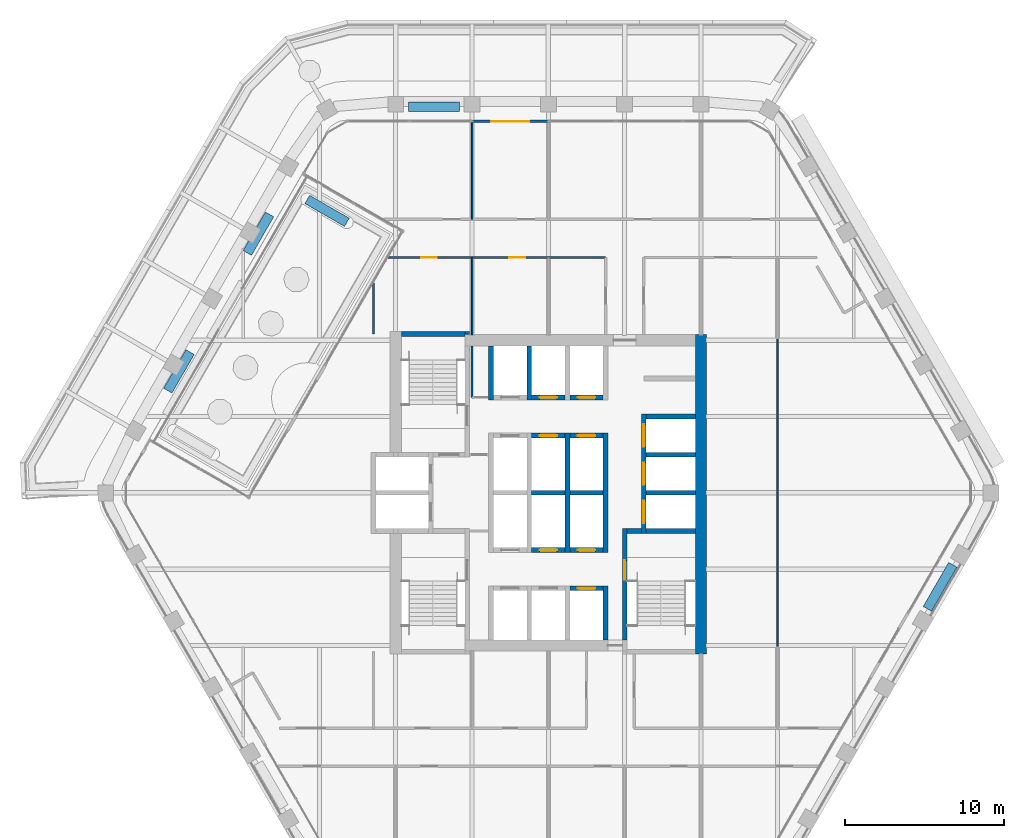
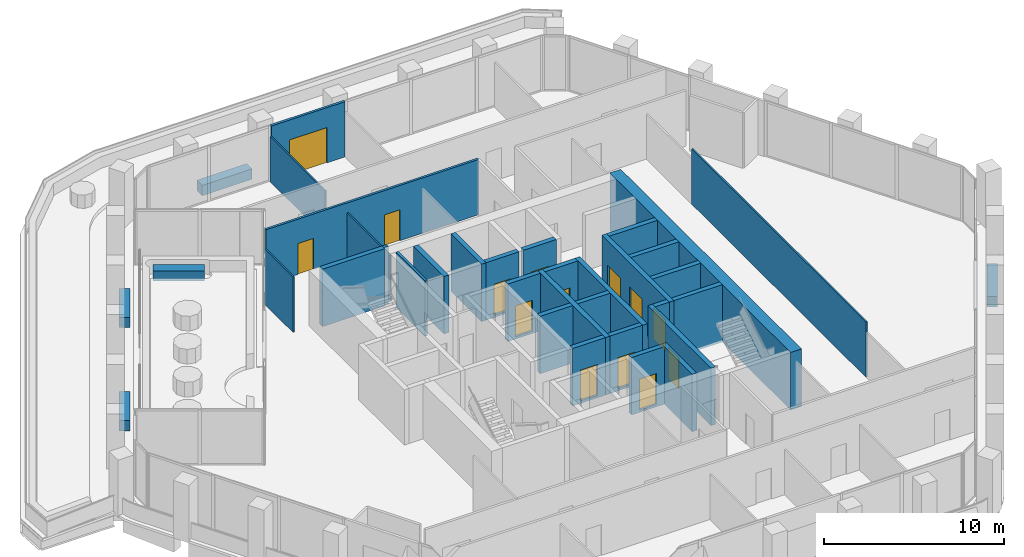
# One storey, part 13 of 18: 36 walls, 14 doors, 14 openings.
"""IFC4 building model written with IfcOpenShell, lengths in metres."""

from ifc_helpers import new_model, si_unit, direction, frame, frame_2d, origin, place, context, subcontext, project, spatial, rectangle, extrude, material, layer, layer_set, type_object, element, fill, save


model = new_model("IFC4")

# Units and contexts
model_context = context("Model", 3, precision=1e-05, world=origin(), true_north=direction((0.0, 1.0)))
body_context = subcontext(model_context, "Body", "Model", "MODEL_VIEW")
ifc_project = project(units=[si_unit("LENGTHUNIT", "METRE"), si_unit("AREAUNIT", "SQUARE_METRE"), si_unit("VOLUMEUNIT", "CUBIC_METRE"), si_unit("PLANEANGLEUNIT", "RADIAN"), si_unit("MASSUNIT", "GRAM", prefix="KILO")], contexts=[model_context])

# Site, building, storey
site_placement = place(None, origin())
site = spatial("IfcSite", under=ifc_project, at=site_placement, CompositionType="ELEMENT")
building_placement = place(site_placement, origin())
building = spatial("IfcBuilding", under=site, at=building_placement, Name="Kolab Exchange Tower", CompositionType="ELEMENT")
storey_placement = place(building_placement, frame((0.0, 0.0, 150.5)))
storey = spatial("IfcBuildingStorey", under=building, at=storey_placement, Name="L30", CompositionType="ELEMENT", Elevation=150.5)

# Wall
ifc_material_1 = material(Name="Concrete C60/75", Category="concrete")
ifc_layer_1 = layer(ifc_material_1, 0.699951171875)
ifc_layer_set_1 = layer_set([ifc_layer_1], Name="Concrete C60/75")
wall_type_1 = type_object("IfcWallType", Name="CORE WALL 700 C60/75", PredefinedType="SHEAR", material=ifc_layer_set_1)
wall_1_placement = place(storey_placement, frame((9.60009765625, -10.14990234375, -0.14990234375), z_axis=(0.0, 0.0, 1.0), x_axis=(0.0, 1.0, 0.0)))
element("IfcWall", 1, at=wall_1_placement, inside=storey, type_object=wall_type_1, Name="wall/L30/core/058", PredefinedType="SHEAR", context=body_context, shape_type="SweptSolid", body=[
    extrude(rectangle(XDim=20.099853515625, YDim=0.699951171875, at=frame_2d((10.0498046875, 0.0))), origin(), (0.0, 0.0, 1.0), 3.89990234375),
])

# Wall, opening, door
ifc_material_2 = material(Name="Aluminium EN AW-6063 T6", Category="aluminium")
ifc_layer_2 = layer(ifc_material_2, 0.159912109375)
ifc_layer_set_2 = layer_set([ifc_layer_2], Name="Aluminium EN AW-6063 T6")
wall_type_2 = type_object("IfcWallType", Name="DOOR SURROUND WALL 160 ALUMINIUM FRAMED", PredefinedType="PARTITIONING", material=ifc_layer_set_2)
wall_2_placement = place(storey_placement, frame((-4.77001953125, 23.361572265625, 0.0), z_axis=(0.0, 0.0, 1.0), x_axis=(1.0, 0.0, 0.0)))
wall_2 = element("IfcWall", 2, at=wall_2_placement, inside=storey, type_object=wall_type_2, Name="Door surround wall", PredefinedType="PARTITIONING", context=body_context, shape_type="SweptSolid", body=[
    extrude(rectangle(XDim=4.739990234375, YDim=0.159912109375, at=frame_2d((2.3701171875, 0.0))), origin(), (0.0, 0.0, 1.0), 3.75),
])
opening_1_placement = place(wall_2_placement, frame((1.169921875, 0.0, 0.0)))
opening_1 = element("IfcOpeningElement", 3, at=opening_1_placement, cuts=wall_2, Name="Opening GD1-064", PredefinedType="OPENING", context=body_context, shape_type="SweptSolid", body=[
    extrude(rectangle(XDim=2.39990234375, YDim=2.39990234375, at=frame_2d((1.199951171875, 1.199951171875))), frame((0.0, 0.08984375, 0.0), z_axis=(0.0, -1.0, 0.0), x_axis=(1.0, 0.0, 0.0)), (0.0, 0.0, 1.0), 0.179931640625),
])
door_type_1 = type_object("IfcDoorType", Name="LOGGIA SLIDING GLASS DOOR 2400 X 2400", OperationType="DOUBLE_DOOR_SINGLE_SWING", PredefinedType="DOOR", material=ifc_material_2)
door_1_placement = place(opening_1_placement, origin())
door_1 = element("IfcDoor", 4, at=door_1_placement, inside=storey, type_object=door_type_1, Name="Loggia door", OperationType="DOUBLE_DOOR_SLIDING", OverallHeight=2.39990234375, OverallWidth=2.39990234375, PredefinedType="DOOR", context=body_context, shape_type="SweptSolid", body=[
    extrude(rectangle(XDim=2.39990234375, YDim=2.39990234375, at=frame_2d((1.199951171875, 1.199951171875))), frame((0.0, 0.02490234375, 0.0), z_axis=(0.0, -1.0, 0.0), x_axis=(1.0, 0.0, 0.0)), (0.0, 0.0, 1.0), 0.050048828125),
])
fill(opening_1, door_1)

ifc_material_3 = material(Name="Concrete C50/60", Category="concrete")
ifc_layer_3 = layer(ifc_material_3, 0.300048828125)
ifc_layer_set_3 = layer_set([ifc_layer_3], Name="Concrete C50/60")
wall_type_3 = type_object("IfcWallType", Name="LIFT SHAFT WALL 300 C50/60", PredefinedType="STANDARD", material=ifc_layer_set_3)
wall_3_placement = place(storey_placement, frame((1.35009765625, -6.0, -0.14990234375), z_axis=(0.0, 0.0, 1.0), x_axis=(1.0, 0.0, 0.0)))
wall_3 = element("IfcWall", 5, at=wall_3_placement, inside=storey, type_object=wall_type_3, Name="wall/L30/core/005", PredefinedType="STANDARD", context=body_context, shape_type="SweptSolid", body=[
    extrude(rectangle(XDim=2.099853515625, YDim=0.300048828125, at=frame_2d((1.0498046875, 0.0))), origin(), (0.0, 0.0, 1.0), 3.89990234375),
])
opening_2_placement = place(wall_3_placement, frame((0.5, 0.0, 0.14990234375)))
opening_2 = element("IfcOpeningElement", 6, at=opening_2_placement, cuts=wall_3, Name="Opening LD1-112", PredefinedType="OPENING", context=body_context, shape_type="SweptSolid", body=[
    extrude(rectangle(XDim=1.10009765625, YDim=2.10009765625, at=frame_2d((0.550048828125, 1.050048828125))), frame((0.0, 0.16015625, 0.0), z_axis=(0.0, -1.0, 0.0), x_axis=(1.0, 0.0, 0.0)), (0.0, 0.0, 1.0), 0.320068359375),
])
ifc_material_4 = material(Name="Stainless steel 316", Category="steel")
door_type_2 = type_object("IfcDoorType", Name="LANDING DOOR 1100 PASSENGER", OperationType="DOUBLE_DOOR_SLIDING", PredefinedType="DOOR", material=ifc_material_4)
door_2_placement = place(opening_2_placement, origin())
door_2 = element("IfcDoor", 7, at=door_2_placement, inside=storey, type_object=door_type_2, Name="Landing door HR12", OperationType="DOUBLE_DOOR_SLIDING", OverallHeight=2.10009765625, OverallWidth=1.10009765625, PredefinedType="DOOR", context=body_context, shape_type="SweptSolid", body=[
    extrude(rectangle(XDim=1.10009765625, YDim=2.10009765625, at=frame_2d((0.550048828125, 1.050048828125))), frame((0.0, 0.02490234375, 0.0), z_axis=(0.0, -1.0, 0.0), x_axis=(1.0, 0.0, 0.0)), (0.0, 0.0, 1.0), 0.050048828125),
])
fill(opening_2, door_2)

wall_4_placement = place(storey_placement, frame((-1.050048828125, -3.60009765625, -0.14990234375), z_axis=(0.0, 0.0, 1.0), x_axis=(1.0, 0.0, 0.0)))
wall_4 = element("IfcWall", 8, at=wall_4_placement, inside=storey, type_object=wall_type_3, Name="wall/L30/core/007", PredefinedType="STANDARD", context=body_context, shape_type="SweptSolid", body=[
    extrude(rectangle(XDim=2.10009765625, YDim=0.300048828125, at=frame_2d((1.050048828125, 0.0))), origin(), (0.0, 0.0, 1.0), 3.89990234375),
])
opening_3_placement = place(wall_4_placement, frame((0.5, 0.0, 0.14990234375)))
opening_3 = element("IfcOpeningElement", 9, at=opening_3_placement, cuts=wall_4, Name="Opening LD1-119", PredefinedType="OPENING", context=body_context, shape_type="SweptSolid", body=[
    extrude(rectangle(XDim=1.10009765625, YDim=2.10009765625, at=frame_2d((0.550048828125, 1.050048828125))), frame((0.0, 0.16015625, 0.0), z_axis=(0.0, -1.0, 0.0), x_axis=(1.0, 0.0, 0.0)), (0.0, 0.0, 1.0), 0.320068359375),
])
door_3_placement = place(opening_3_placement, origin())
door_3 = element("IfcDoor", 10, at=door_3_placement, inside=storey, type_object=door_type_2, Name="Landing door HR8", OperationType="DOUBLE_DOOR_SLIDING", OverallHeight=2.10009765625, OverallWidth=1.10009765625, PredefinedType="DOOR", context=body_context, shape_type="SweptSolid", body=[
    extrude(rectangle(XDim=1.10009765625, YDim=2.10009765625, at=frame_2d((0.550048828125, 1.050048828125))), frame((0.0, 0.02490234375, 0.0), z_axis=(0.0, -1.0, 0.0), x_axis=(1.0, 0.0, 0.0)), (0.0, 0.0, 1.0), 0.050048828125),
])
fill(opening_3, door_3)

wall_5_placement = place(storey_placement, frame((1.35009765625, -3.60009765625, -0.14990234375), z_axis=(0.0, 0.0, 1.0), x_axis=(1.0, 0.0, 0.0)))
wall_5 = element("IfcWall", 11, at=wall_5_placement, inside=storey, type_object=wall_type_3, Name="wall/L30/core/008", PredefinedType="STANDARD", context=body_context, shape_type="SweptSolid", body=[
    extrude(rectangle(XDim=2.099853515625, YDim=0.300048828125, at=frame_2d((1.0498046875, 0.0))), origin(), (0.0, 0.0, 1.0), 3.89990234375),
])
opening_4_placement = place(wall_5_placement, frame((0.5, 0.0, 0.14990234375)))
opening_4 = element("IfcOpeningElement", 12, at=opening_4_placement, cuts=wall_5, Name="Opening LD1-120", PredefinedType="OPENING", context=body_context, shape_type="SweptSolid", body=[
    extrude(rectangle(XDim=1.10009765625, YDim=2.10009765625, at=frame_2d((0.550048828125, 1.050048828125))), frame((0.0, 0.16015625, 0.0), z_axis=(0.0, -1.0, 0.0), x_axis=(1.0, 0.0, 0.0)), (0.0, 0.0, 1.0), 0.320068359375),
])
door_4_placement = place(opening_4_placement, origin())
door_4 = element("IfcDoor", 13, at=door_4_placement, inside=storey, type_object=door_type_2, Name="Landing door HR9", OperationType="DOUBLE_DOOR_SLIDING", OverallHeight=2.10009765625, OverallWidth=1.10009765625, PredefinedType="DOOR", context=body_context, shape_type="SweptSolid", body=[
    extrude(rectangle(XDim=1.10009765625, YDim=2.10009765625, at=frame_2d((0.550048828125, 1.050048828125))), frame((0.0, 0.02490234375, 0.0), z_axis=(0.0, -1.0, 0.0), x_axis=(1.0, 0.0, 0.0)), (0.0, 0.0, 1.0), 0.050048828125),
])
fill(opening_4, door_4)

# Walls
wall_6_placement = place(storey_placement, frame((-1.050048828125, 0.0, -0.14990234375), z_axis=(0.0, 0.0, 1.0), x_axis=(1.0, 0.0, 0.0)))
element("IfcWall", 14, at=wall_6_placement, inside=storey, type_object=wall_type_3, Name="wall/L30/core/016", PredefinedType="STANDARD", context=body_context, shape_type="SweptSolid", body=[
    extrude(rectangle(XDim=2.10009765625, YDim=0.300048828125, at=frame_2d((1.050048828125, 0.0))), origin(), (0.0, 0.0, 1.0), 3.89990234375),
])
wall_7_placement = place(storey_placement, frame((1.35009765625, 0.0, -0.14990234375), z_axis=(0.0, 0.0, 1.0), x_axis=(1.0, 0.0, 0.0)))
element("IfcWall", 15, at=wall_7_placement, inside=storey, type_object=wall_type_3, Name="wall/L30/core/017", PredefinedType="STANDARD", context=body_context, shape_type="SweptSolid", body=[
    extrude(rectangle(XDim=2.099853515625, YDim=0.300048828125, at=frame_2d((1.0498046875, 0.0))), origin(), (0.0, 0.0, 1.0), 3.89990234375),
])
for number, where, z_axis, x_axis, name in (
    (16, (6.14990234375, 0.0, -0.14990234375), (0.0, 0.0, 1.0), (1.0, 0.0, 0.0), "wall/L30/core/018"),
    (17, (6.14990234375, 2.39990234375, -0.14990234375), (0.0, 0.0, 1.0), (1.0, 0.0, 0.0), "wall/L30/core/022"),
):
    element("IfcWall", number, at=place(storey_placement, frame(where, z_axis=z_axis, x_axis=x_axis)), inside=storey, type_object=wall_type_3, Name=name, PredefinedType="STANDARD", context=body_context, shape_type="SweptSolid", body=[
        extrude(rectangle(XDim=3.10009765625, YDim=0.300048828125, at=frame_2d((1.550048828125, 0.0))), origin(), (0.0, 0.0, 1.0), 3.89990234375),
    ])

# Wall, opening, door
wall_8_placement = place(storey_placement, frame((-1.050048828125, 3.60009765625, -0.14990234375), z_axis=(0.0, 0.0, 1.0), x_axis=(1.0, 0.0, 0.0)))
wall_8 = element("IfcWall", 18, at=wall_8_placement, inside=storey, type_object=wall_type_3, Name="wall/L30/core/024", PredefinedType="STANDARD", context=body_context, shape_type="SweptSolid", body=[
    extrude(rectangle(XDim=2.10009765625, YDim=0.300048828125, at=frame_2d((1.050048828125, 0.0))), origin(), (0.0, 0.0, 1.0), 3.89990234375),
])
opening_5_placement = place(wall_8_placement, frame((0.5, 0.0, 0.14990234375)))
opening_5 = element("IfcOpeningElement", 19, at=opening_5_placement, cuts=wall_8, Name="Opening LD1-116", PredefinedType="OPENING", context=body_context, shape_type="SweptSolid", body=[
    extrude(rectangle(XDim=1.10009765625, YDim=2.10009765625, at=frame_2d((0.550048828125, 1.050048828125))), frame((0.0, 0.16015625, 0.0), z_axis=(0.0, -1.0, 0.0), x_axis=(1.0, 0.0, 0.0)), (0.0, 0.0, 1.0), 0.320068359375),
])
door_5_placement = place(opening_5_placement, origin())
door_5 = element("IfcDoor", 20, at=door_5_placement, inside=storey, type_object=door_type_2, Name="Landing door HR5", OperationType="DOUBLE_DOOR_SLIDING", OverallHeight=2.10009765625, OverallWidth=1.10009765625, PredefinedType="DOOR", context=body_context, shape_type="SweptSolid", body=[
    extrude(rectangle(XDim=1.10009765625, YDim=2.10009765625, at=frame_2d((0.550048828125, 1.050048828125))), frame((0.0, 0.02490234375, 0.0), z_axis=(0.0, -1.0, 0.0), x_axis=(1.0, 0.0, 0.0)), (0.0, 0.0, 1.0), 0.050048828125),
])
fill(opening_5, door_5)

wall_9_placement = place(storey_placement, frame((1.35009765625, 3.60009765625, -0.14990234375), z_axis=(0.0, 0.0, 1.0), x_axis=(1.0, 0.0, 0.0)))
wall_9 = element("IfcWall", 21, at=wall_9_placement, inside=storey, type_object=wall_type_3, Name="wall/L30/core/025", PredefinedType="STANDARD", context=body_context, shape_type="SweptSolid", body=[
    extrude(rectangle(XDim=2.099853515625, YDim=0.300048828125, at=frame_2d((1.0498046875, 0.0))), origin(), (0.0, 0.0, 1.0), 3.89990234375),
])
opening_6_placement = place(wall_9_placement, frame((0.5, 0.0, 0.14990234375)))
opening_6 = element("IfcOpeningElement", 22, at=opening_6_placement, cuts=wall_9, Name="Opening LD1-117", PredefinedType="OPENING", context=body_context, shape_type="SweptSolid", body=[
    extrude(rectangle(XDim=1.10009765625, YDim=2.10009765625, at=frame_2d((0.550048828125, 1.050048828125))), frame((0.0, 0.16015625, 0.0), z_axis=(0.0, -1.0, 0.0), x_axis=(1.0, 0.0, 0.0)), (0.0, 0.0, 1.0), 0.320068359375),
])
door_6_placement = place(opening_6_placement, origin())
door_6 = element("IfcDoor", 23, at=door_6_placement, inside=storey, type_object=door_type_2, Name="Landing door HR6", OperationType="DOUBLE_DOOR_SLIDING", OverallHeight=2.10009765625, OverallWidth=1.10009765625, PredefinedType="DOOR", context=body_context, shape_type="SweptSolid", body=[
    extrude(rectangle(XDim=1.10009765625, YDim=2.10009765625, at=frame_2d((0.550048828125, 1.050048828125))), frame((0.0, 0.02490234375, 0.0), z_axis=(0.0, -1.0, 0.0), x_axis=(1.0, 0.0, 0.0)), (0.0, 0.0, 1.0), 0.050048828125),
])
fill(opening_6, door_6)

# Wall
wall_10_placement = place(storey_placement, frame((6.14990234375, 4.800048828125, -0.14990234375), z_axis=(0.0, 0.0, 1.0), x_axis=(1.0, 0.0, 0.0)))
element("IfcWall", 24, at=wall_10_placement, inside=storey, type_object=wall_type_3, Name="wall/L30/core/026", PredefinedType="STANDARD", context=body_context, shape_type="SweptSolid", body=[
    extrude(rectangle(XDim=3.10009765625, YDim=0.300048828125, at=frame_2d((1.550048828125, 0.0))), origin(), (0.0, 0.0, 1.0), 3.89990234375),
])

# Wall, opening, door
wall_11_placement = place(storey_placement, frame((-1.050048828125, 6.0, -0.14990234375), z_axis=(0.0, 0.0, 1.0), x_axis=(1.0, 0.0, 0.0)))
wall_11 = element("IfcWall", 25, at=wall_11_placement, inside=storey, type_object=wall_type_3, Name="wall/L30/core/028", PredefinedType="STANDARD", context=body_context, shape_type="SweptSolid", body=[
    extrude(rectangle(XDim=2.10009765625, YDim=0.300048828125, at=frame_2d((1.050048828125, 0.0))), origin(), (0.0, 0.0, 1.0), 3.89990234375),
])
opening_7_placement = place(wall_11_placement, frame((0.5, 0.0, 0.14990234375)))
opening_7 = element("IfcOpeningElement", 26, at=opening_7_placement, cuts=wall_11, Name="Opening LD1-113", PredefinedType="OPENING", context=body_context, shape_type="SweptSolid", body=[
    extrude(rectangle(XDim=1.10009765625, YDim=2.10009765625, at=frame_2d((0.550048828125, 1.050048828125))), frame((0.0, 0.16015625, 0.0), z_axis=(0.0, -1.0, 0.0), x_axis=(1.0, 0.0, 0.0)), (0.0, 0.0, 1.0), 0.320068359375),
])
door_7_placement = place(opening_7_placement, origin())
door_7 = element("IfcDoor", 27, at=door_7_placement, inside=storey, type_object=door_type_2, Name="Landing door HR2", OperationType="DOUBLE_DOOR_SLIDING", OverallHeight=2.10009765625, OverallWidth=1.10009765625, PredefinedType="DOOR", context=body_context, shape_type="SweptSolid", body=[
    extrude(rectangle(XDim=1.10009765625, YDim=2.10009765625, at=frame_2d((0.550048828125, 1.050048828125))), frame((0.0, 0.02490234375, 0.0), z_axis=(0.0, -1.0, 0.0), x_axis=(1.0, 0.0, 0.0)), (0.0, 0.0, 1.0), 0.050048828125),
])
fill(opening_7, door_7)

wall_12_placement = place(storey_placement, frame((1.35009765625, 6.0, -0.14990234375), z_axis=(0.0, 0.0, 1.0), x_axis=(1.0, 0.0, 0.0)))
wall_12 = element("IfcWall", 28, at=wall_12_placement, inside=storey, type_object=wall_type_3, Name="wall/L30/core/029", PredefinedType="STANDARD", context=body_context, shape_type="SweptSolid", body=[
    extrude(rectangle(XDim=2.099853515625, YDim=0.300048828125, at=frame_2d((1.0498046875, 0.0))), origin(), (0.0, 0.0, 1.0), 3.89990234375),
])
opening_8_placement = place(wall_12_placement, frame((0.5, 0.0, 0.14990234375)))
opening_8 = element("IfcOpeningElement", 29, at=opening_8_placement, cuts=wall_12, Name="Opening LD1-114", PredefinedType="OPENING", context=body_context, shape_type="SweptSolid", body=[
    extrude(rectangle(XDim=1.10009765625, YDim=2.10009765625, at=frame_2d((0.550048828125, 1.050048828125))), frame((0.0, 0.16015625, 0.0), z_axis=(0.0, -1.0, 0.0), x_axis=(1.0, 0.0, 0.0)), (0.0, 0.0, 1.0), 0.320068359375),
])
door_8_placement = place(opening_8_placement, origin())
door_8 = element("IfcDoor", 30, at=door_8_placement, inside=storey, type_object=door_type_2, Name="Landing door HR3", OperationType="DOUBLE_DOOR_SLIDING", OverallHeight=2.10009765625, OverallWidth=1.10009765625, PredefinedType="DOOR", context=body_context, shape_type="SweptSolid", body=[
    extrude(rectangle(XDim=1.10009765625, YDim=2.10009765625, at=frame_2d((0.550048828125, 1.050048828125))), frame((0.0, 0.02490234375, 0.0), z_axis=(0.0, -1.0, 0.0), x_axis=(1.0, 0.0, 0.0)), (0.0, 0.0, 1.0), 0.050048828125),
])
fill(opening_8, door_8)

# Walls
for number, where, z_axis, x_axis, name in (
    (31, (-3.60009765625, 5.85009765625, -0.14990234375), (0.0, 0.0, 1.0), (0.0, 1.0, 0.0), "wall/L30/core/045"),
    (32, (-1.199951171875, 5.85009765625, -0.14990234375), (0.0, 0.0, 1.0), (0.0, 1.0, 0.0), "wall/L30/core/048"),
):
    element("IfcWall", number, at=place(storey_placement, frame(where, z_axis=z_axis, x_axis=x_axis)), inside=storey, type_object=wall_type_3, Name=name, PredefinedType="STANDARD", context=body_context, shape_type="SweptSolid", body=[
        extrude(rectangle(XDim=3.39990234375, YDim=0.300048828125, at=frame_2d((1.699951171875, 0.0))), origin(), (0.0, 0.0, 1.0), 3.89990234375),
    ])
wall_13_placement = place(storey_placement, frame((1.199951171875, -3.75, -0.14990234375), z_axis=(0.0, 0.0, 1.0), x_axis=(0.0, 1.0, 0.0)))
element("IfcWall", 33, at=wall_13_placement, inside=storey, type_object=wall_type_3, Name="wall/L30/core/050", PredefinedType="STANDARD", context=body_context, shape_type="SweptSolid", body=[
    extrude(rectangle(XDim=7.5, YDim=0.300048828125, at=frame_2d((3.75, 0.0))), origin(), (0.0, 0.0, 1.0), 3.89990234375),
])
wall_14_placement = place(storey_placement, frame((3.60009765625, -9.25, -0.14990234375), z_axis=(0.0, 0.0, 1.0), x_axis=(0.0, 1.0, 0.0)))
element("IfcWall", 34, at=wall_14_placement, inside=storey, type_object=wall_type_3, Name="wall/L30/core/052", PredefinedType="STANDARD", context=body_context, shape_type="SweptSolid", body=[
    extrude(rectangle(XDim=3.39990234375, YDim=0.300048828125, at=frame_2d((1.699951171875, 0.0))), origin(), (0.0, 0.0, 1.0), 3.89990234375),
])
wall_15_placement = place(storey_placement, frame((3.60009765625, -3.75, -0.14990234375), z_axis=(0.0, 0.0, 1.0), x_axis=(0.0, 1.0, 0.0)))
element("IfcWall", 35, at=wall_15_placement, inside=storey, type_object=wall_type_3, Name="wall/L30/core/053", PredefinedType="STANDARD", context=body_context, shape_type="SweptSolid", body=[
    extrude(rectangle(XDim=7.5, YDim=0.300048828125, at=frame_2d((3.75, 0.0))), origin(), (0.0, 0.0, 1.0), 3.89990234375),
])

# Wall, openings, doors
wall_16_placement = place(storey_placement, frame((6.0, -2.550048828125, -0.14990234375), z_axis=(0.0, 0.0, 1.0), x_axis=(0.0, 1.0, 0.0)))
wall_16 = element("IfcWall", 36, at=wall_16_placement, inside=storey, type_object=wall_type_3, Name="wall/L30/core/057", PredefinedType="STANDARD", context=body_context, shape_type="SweptSolid", body=[
    extrude(rectangle(XDim=7.5, YDim=0.300048828125, at=frame_2d((3.75, 0.0))), origin(), (0.0, 0.0, 1.0), 3.89990234375),
])
opening_9_placement = place(wall_16_placement, frame((0.64990234375, 0.0, 0.14990234375)))
opening_9 = element("IfcOpeningElement", 37, at=opening_9_placement, cuts=wall_16, Name="Opening LD3-037", PredefinedType="OPENING", context=body_context, shape_type="SweptSolid", body=[
    extrude(rectangle(XDim=1.39990234375, YDim=2.10009765625, at=frame_2d((0.699951171875, 1.050048828125))), frame((0.0, 0.16015625, 0.0), z_axis=(0.0, -1.0, 0.0), x_axis=(1.0, 0.0, 0.0)), (0.0, 0.0, 1.0), 0.320068359375),
])
opening_10_placement = place(wall_16_placement, frame((3.050048828125, 0.0, 0.14990234375)))
opening_10 = element("IfcOpeningElement", 38, at=opening_10_placement, cuts=wall_16, Name="Opening LD3-038", PredefinedType="OPENING", context=body_context, shape_type="SweptSolid", body=[
    extrude(rectangle(XDim=1.39990234375, YDim=2.10009765625, at=frame_2d((0.699951171875, 1.050048828125))), frame((0.0, 0.16015625, 0.0), z_axis=(0.0, -1.0, 0.0), x_axis=(1.0, 0.0, 0.0)), (0.0, 0.0, 1.0), 0.320068359375),
])
opening_11_placement = place(wall_16_placement, frame((5.449951171875, 0.0, 0.14990234375)))
opening_11 = element("IfcOpeningElement", 39, at=opening_11_placement, cuts=wall_16, Name="Opening LD3-039", PredefinedType="OPENING", context=body_context, shape_type="SweptSolid", body=[
    extrude(rectangle(XDim=1.39990234375, YDim=2.10009765625, at=frame_2d((0.699951171875, 1.050048828125))), frame((0.0, 0.16015625, 0.0), z_axis=(0.0, -1.0, 0.0), x_axis=(1.0, 0.0, 0.0)), (0.0, 0.0, 1.0), 0.320068359375),
])
door_type_3 = type_object("IfcDoorType", Name="LANDING DOOR 1400 SERVICE", OperationType="DOUBLE_DOOR_SLIDING", PredefinedType="DOOR", material=ifc_material_4)
door_9_placement = place(opening_9_placement, origin())
door_9 = element("IfcDoor", 40, at=door_9_placement, inside=storey, type_object=door_type_3, Name="Landing door SV1", OperationType="DOUBLE_DOOR_SLIDING", OverallHeight=2.10009765625, OverallWidth=1.39990234375, PredefinedType="DOOR", context=body_context, shape_type="SweptSolid", body=[
    extrude(rectangle(XDim=1.39990234375, YDim=2.10009765625, at=frame_2d((0.699951171875, 1.050048828125))), frame((0.0, 0.02490234375, 0.0), z_axis=(0.0, -1.0, 0.0), x_axis=(1.0, 0.0, 0.0)), (0.0, 0.0, 1.0), 0.050048828125),
])
fill(opening_9, door_9)
door_10_placement = place(opening_10_placement, origin())
door_10 = element("IfcDoor", 41, at=door_10_placement, inside=storey, type_object=door_type_3, Name="Landing door SV2", OperationType="DOUBLE_DOOR_SLIDING", OverallHeight=2.10009765625, OverallWidth=1.39990234375, PredefinedType="DOOR", context=body_context, shape_type="SweptSolid", body=[
    extrude(rectangle(XDim=1.39990234375, YDim=2.10009765625, at=frame_2d((0.699951171875, 1.050048828125))), frame((0.0, 0.02490234375, 0.0), z_axis=(0.0, -1.0, 0.0), x_axis=(1.0, 0.0, 0.0)), (0.0, 0.0, 1.0), 0.050048828125),
])
fill(opening_10, door_10)
door_11_placement = place(opening_11_placement, origin())
door_11 = element("IfcDoor", 42, at=door_11_placement, inside=storey, type_object=door_type_3, Name="Landing door SV3", OperationType="DOUBLE_DOOR_SLIDING", OverallHeight=2.10009765625, OverallWidth=1.39990234375, PredefinedType="DOOR", context=body_context, shape_type="SweptSolid", body=[
    extrude(rectangle(XDim=1.39990234375, YDim=2.10009765625, at=frame_2d((0.699951171875, 1.050048828125))), frame((0.0, 0.02490234375, 0.0), z_axis=(0.0, -1.0, 0.0), x_axis=(1.0, 0.0, 0.0)), (0.0, 0.0, 1.0), 0.050048828125),
])
fill(opening_11, door_11)

# Walls
ifc_material_5 = material(Name="Gypsum board", Category="gypsum")
ifc_layer_4 = layer(ifc_material_5, 0.10009765625)
ifc_layer_set_4 = layer_set([ifc_layer_4], Name="Gypsum board")
wall_type_4 = type_object("IfcWallType", Name="PARTITION 100", PredefinedType="PARTITIONING", material=ifc_layer_set_4)
wall_17_placement = place(storey_placement, frame((14.39990234375, -9.693603515625, 0.0), z_axis=(0.0, 0.0, 1.0), x_axis=(0.0, 1.0, 0.0)))
element("IfcWall", 43, at=wall_17_placement, inside=storey, type_object=wall_type_4, Name="Partition 000", PredefinedType="PARTITIONING", context=body_context, shape_type="SweptSolid", body=[
    extrude(rectangle(XDim=19.38720703125, YDim=0.10009765625, at=frame_2d((9.693603515625, 0.0))), origin(), (0.0, 0.0, 1.0), 3.75),
])
wall_18_placement = place(storey_placement, frame((-4.800048828125, 9.949951171875, 0.0), z_axis=(0.0, 0.0, 1.0), x_axis=(0.0, 1.0, 0.0)))
element("IfcWall", 44, at=wall_18_placement, inside=storey, type_object=wall_type_4, Name="Partition 015", PredefinedType="PARTITIONING", context=body_context, shape_type="SweptSolid", body=[
    extrude(rectangle(XDim=4.85009765625, YDim=0.10009765625, at=frame_2d((2.425048828125, 0.0))), origin(), (0.0, 0.0, 1.0), 3.06591796875),
])
wall_19_placement = place(storey_placement, frame((-4.800048828125, 17.199951171875, 0.0), z_axis=(0.0, 0.0, 1.0), x_axis=(0.0, 1.0, 0.0)))
element("IfcWall", 45, at=wall_19_placement, inside=storey, type_object=wall_type_4, Name="Partition 016", PredefinedType="PARTITIONING", context=body_context, shape_type="SweptSolid", body=[
    extrude(rectangle(XDim=6.08154296875, YDim=0.10009765625, at=frame_2d((3.040771484375, 0.0))), origin(), (0.0, 0.0, 1.0), 3.06591796875),
])
wall_20_placement = place(storey_placement, frame((-11.0, 10.0, 0.0), z_axis=(0.0, 0.0, 1.0), x_axis=(0.0, 1.0, 0.0)))
element("IfcWall", 46, at=wall_20_placement, inside=storey, type_object=wall_type_4, Name="Partition 020", PredefinedType="PARTITIONING", context=body_context, shape_type="SweptSolid", body=[
    extrude(rectangle(XDim=3.1904296875, YDim=0.10009765625, at=frame_2d((1.59521484375, 0.0))), origin(), (0.0, 0.0, 1.0), 3.75),
])
ifc_layer_5 = layer(ifc_material_5, 0.14990234375)
ifc_layer_set_5 = layer_set([ifc_layer_5], Name="Gypsum board")
wall_type_5 = type_object("IfcWallType", Name="PARTITION 150 FIRE-RATED", PredefinedType="PARTITIONING", material=ifc_layer_set_5)
wall_21_placement = place(storey_placement, frame((-4.800048828125, 6.0, 0.0), z_axis=(0.0, 0.0, 1.0), x_axis=(0.0, 1.0, 0.0)))
element("IfcWall", 47, at=wall_21_placement, inside=storey, type_object=wall_type_5, Name="Partition 017", PredefinedType="PARTITIONING", context=body_context, shape_type="SweptSolid", body=[
    extrude(rectangle(XDim=3.25, YDim=0.14990234375, at=frame_2d((1.625, 0.0))), origin(), (0.0, 0.0, 1.0), 3.75),
])

# Wall, openings, doors
wall_22_placement = place(storey_placement, frame((-10.07080078125, 14.800048828125, 0.0), z_axis=(0.0, 0.0, 1.0), x_axis=(1.0, 0.0, 0.0)))
wall_22 = element("IfcWall", 48, at=wall_22_placement, inside=storey, type_object=wall_type_5, Name="Partition 029", PredefinedType="PARTITIONING", context=body_context, shape_type="SweptSolid", body=[
    extrude(rectangle(XDim=13.6708984375, YDim=0.14990234375, at=frame_2d((6.83544921875, 0.0))), origin(), (0.0, 0.0, 1.0), 3.75),
])
opening_12_placement = place(wall_22_placement, frame((2.066162109375, 0.0, 0.0)))
opening_12 = element("IfcOpeningElement", 49, at=opening_12_placement, cuts=wall_22, Name="Opening D1-433", PredefinedType="OPENING", context=body_context, shape_type="SweptSolid", body=[
    extrude(rectangle(XDim=1.0, YDim=2.10009765625, at=frame_2d((0.5, 1.050048828125))), frame((0.0, 0.0849609375, 0.0), z_axis=(0.0, -1.0, 0.0), x_axis=(1.0, 0.0, 0.0)), (0.0, 0.0, 1.0), 0.169921875),
])
opening_13_placement = place(wall_22_placement, frame((7.605712890625, 0.0, 0.0)))
opening_13 = element("IfcOpeningElement", 50, at=opening_13_placement, cuts=wall_22, Name="Opening D1-434", PredefinedType="OPENING", context=body_context, shape_type="SweptSolid", body=[
    extrude(rectangle(XDim=1.0, YDim=2.10009765625, at=frame_2d((0.5, 1.050048828125))), frame((0.0, 0.0849609375, 0.0), z_axis=(0.0, -1.0, 0.0), x_axis=(1.0, 0.0, 0.0)), (0.0, 0.0, 1.0), 0.169921875),
])
ifc_material_6 = material(Name="Steel S235", Category="steel")
door_type_4 = type_object("IfcDoorType", Name="FLUSH DOOR 1000 FD60", OperationType="SINGLE_SWING_LEFT", PredefinedType="DOOR", material=ifc_material_6)
door_12_placement = place(opening_12_placement, frame((1.0, 0.0, 0.0), z_axis=(0.0, 0.0, 1.0), x_axis=(-1.0, 0.0, 0.0)))
door_12 = element("IfcDoor", 51, at=door_12_placement, inside=storey, type_object=door_type_4, Name="Door L30-031", OperationType="SINGLE_SWING_RIGHT", OverallHeight=2.10009765625, OverallWidth=1.0, PredefinedType="DOOR", context=body_context, shape_type="SweptSolid", body=[
    extrude(rectangle(XDim=1.0, YDim=2.10009765625, at=frame_2d((0.5, 1.050048828125))), frame((0.0, 0.02490234375, 0.0), z_axis=(0.0, -1.0, 0.0), x_axis=(1.0, 0.0, 0.0)), (0.0, 0.0, 1.0), 0.050048828125),
])
fill(opening_12, door_12)
door_13_placement = place(opening_13_placement, frame((1.0, 0.0, 0.0), z_axis=(0.0, 0.0, 1.0), x_axis=(-1.0, 0.0, 0.0)))
door_13 = element("IfcDoor", 52, at=door_13_placement, inside=storey, type_object=door_type_4, Name="Door L30-032", OperationType="SINGLE_SWING_RIGHT", OverallHeight=2.10009765625, OverallWidth=1.0, PredefinedType="DOOR", context=body_context, shape_type="SweptSolid", body=[
    extrude(rectangle(XDim=1.0, YDim=2.10009765625, at=frame_2d((0.5, 1.050048828125))), frame((0.0, 0.02490234375, 0.0), z_axis=(0.0, -1.0, 0.0), x_axis=(1.0, 0.0, 0.0)), (0.0, 0.0, 1.0), 0.050048828125),
])
fill(opening_13, door_13)

# Walls
ifc_material_7 = material(Name="Granite facing", Category="masonry")
ifc_layer_6 = layer(ifc_material_7, 0.0400390625)
ifc_material_8 = material(Name="Concrete C40/50 precast", Category="concrete")
ifc_layer_7 = layer(ifc_material_8, 0.56005859375)
ifc_layer_set_6 = layer_set([ifc_layer_6, ifc_layer_7], Name="Concrete C40/50 precast")
wall_type_6 = type_object("IfcWallType", Name="PLANTER BOX 600 X 700 SOIL DEPTH 550", PredefinedType="USERDEFINED", material=ifc_layer_set_6)
wall_23_placement = place(storey_placement, frame((-8.800048828125, 24.29150390625, 0.0), z_axis=(0.0, 0.0, 1.0), x_axis=(1.0, 0.0, 0.0)))
element("IfcWall", 53, at=wall_23_placement, inside=storey, type_object=wall_type_6, Name="Planter", ObjectType="PLANTER", PredefinedType="USERDEFINED", context=body_context, shape_type="SweptSolid", body=[
    extrude(rectangle(XDim=3.199951171875, YDim=0.60009765625, at=frame_2d((1.60009765625, 0.0))), origin(), (0.0, 0.0, 1.0), 0.699951171875),
])
wall_24_placement = place(storey_placement, frame((25.43701171875, -4.524658203125, 0.0), z_axis=(0.0, 0.0, 1.0), x_axis=(-0.499938187974, -0.866061088033, 0.0)))
element("IfcWall", 54, at=wall_24_placement, inside=storey, type_object=wall_type_6, Name="Planter", ObjectType="PLANTER", PredefinedType="USERDEFINED", context=body_context, shape_type="SweptSolid", body=[
    extrude(rectangle(XDim=3.2001953125, YDim=0.60009765625, at=frame_2d((1.60009765625, 0.0))), origin(), (0.0, 0.0, 1.0), 0.699951171875),
])
wall_25_placement = place(storey_placement, frame((-12.67138671875, 17.015380859375, 0.0), z_axis=(0.0, 0.0, 1.0), x_axis=(-0.866054314686, 0.499949921505, 0.0)))
element("IfcWall", 55, at=wall_25_placement, inside=storey, type_object=wall_type_6, Name="Planter", ObjectType="PLANTER", PredefinedType="USERDEFINED", context=body_context, shape_type="SweptSolid", body=[
    extrude(rectangle(XDim=2.880126953125, YDim=0.60009765625, at=frame_2d((1.43994140625, 0.0))), origin(), (0.0, 0.0, 1.0), 0.699951171875),
])
wall_26_placement = place(storey_placement, frame((-22.533935546875, 8.85302734375, 0.0), z_axis=(0.0, 0.0, 1.0), x_axis=(-0.500049511043, -0.865996816683, 0.0)))
element("IfcWall", 56, at=wall_26_placement, inside=storey, type_object=wall_type_6, Name="Planter", ObjectType="PLANTER", PredefinedType="USERDEFINED", context=body_context, shape_type="SweptSolid", body=[
    extrude(rectangle(XDim=2.800048828125, YDim=0.60009765625, at=frame_2d((1.39990234375, 0.0))), origin(), (0.0, 0.0, 1.0), 0.699951171875),
])
wall_27_placement = place(storey_placement, frame((-18.93408203125, 15.08837890625, 0.0), z_axis=(0.0, 0.0, 1.0), x_axis=(0.500011755427, 0.866018616679, 0.0)))
element("IfcWall", 57, at=wall_27_placement, inside=storey, type_object=wall_type_6, Name="Planter", ObjectType="PLANTER", PredefinedType="USERDEFINED", context=body_context, shape_type="SweptSolid", body=[
    extrude(rectangle(XDim=2.80029296875, YDim=0.60009765625, at=frame_2d((1.400146484375, 0.0))), origin(), (0.0, 0.0, 1.0), 0.699951171875),
])
ifc_layer_8 = layer(ifc_material_3, 0.300048828125)
ifc_layer_set_7 = layer_set([ifc_layer_8], Name="Concrete C50/60")
wall_type_7 = type_object("IfcWallType", Name="STAIR ENCLOSURE WALL 300 C50/60", PredefinedType="STANDARD", material=ifc_layer_set_7)
wall_28_placement = place(storey_placement, frame((4.949951171875, -2.39990234375, -0.14990234375), z_axis=(0.0, 0.0, 1.0), x_axis=(1.0, 0.0, 0.0)))
element("IfcWall", 58, at=wall_28_placement, inside=storey, type_object=wall_type_7, Name="wall/L30/core/012", PredefinedType="STANDARD", context=body_context, shape_type="SweptSolid", body=[
    extrude(rectangle(XDim=0.900146484375, YDim=0.300048828125, at=frame_2d((0.4501953125, 0.0))), origin(), (0.0, 0.0, 1.0), 3.89990234375),
])
wall_29_placement = place(storey_placement, frame((6.14990234375, -2.39990234375, -0.14990234375), z_axis=(0.0, 0.0, 1.0), x_axis=(1.0, 0.0, 0.0)))
element("IfcWall", 59, at=wall_29_placement, inside=storey, type_object=wall_type_7, Name="wall/L30/core/013", PredefinedType="STANDARD", context=body_context, shape_type="SweptSolid", body=[
    extrude(rectangle(XDim=3.10009765625, YDim=0.300048828125, at=frame_2d((1.550048828125, 0.0))), origin(), (0.0, 0.0, 1.0), 3.89990234375),
])
wall_30_placement = place(storey_placement, frame((-9.25, 10.0, -0.14990234375), z_axis=(0.0, 0.0, 1.0), x_axis=(1.0, 0.0, 0.0)))
element("IfcWall", 60, at=wall_30_placement, inside=storey, type_object=wall_type_7, Name="wall/L30/core/032", PredefinedType="STANDARD", context=body_context, shape_type="SweptSolid", body=[
    extrude(rectangle(XDim=4.0, YDim=0.300048828125, at=frame_2d((2.0, 0.0))), origin(), (0.0, 0.0, 1.0), 3.89990234375),
])
wall_31_placement = place(storey_placement, frame((-5.10009765625, 9.949951171875, -0.14990234375), z_axis=(0.0, 0.0, 1.0), x_axis=(0.0, 1.0, 0.0)))
element("IfcWall", 61, at=wall_31_placement, inside=storey, type_object=wall_type_7, Name="wall/L30/core/042", PredefinedType="STANDARD", context=body_context, shape_type="SweptSolid", body=[
    extrude(rectangle(XDim=0.199951171875, YDim=0.300048828125, at=frame_2d((0.10009765625, 0.0))), origin(), (0.0, 0.0, 1.0), 3.89990234375),
])

# Wall, opening, door
wall_32_placement = place(storey_placement, frame((4.800048828125, -9.25, -0.14990234375), z_axis=(0.0, 0.0, 1.0), x_axis=(0.0, 1.0, 0.0)))
wall_32 = element("IfcWall", 62, at=wall_32_placement, inside=storey, type_object=wall_type_7, Name="wall/L30/core/056", PredefinedType="STANDARD", context=body_context, shape_type="SweptSolid", body=[
    extrude(rectangle(XDim=7.0, YDim=0.300048828125, at=frame_2d((3.5, 0.0))), origin(), (0.0, 0.0, 1.0), 3.89990234375),
])
opening_14_placement = place(wall_32_placement, frame((3.800048828125, 0.0, 0.14990234375)))
opening_14 = element("IfcOpeningElement", 63, at=opening_14_placement, cuts=wall_32, Name="Opening D4-067", PredefinedType="OPENING", context=body_context, shape_type="SweptSolid", body=[
    extrude(rectangle(XDim=1.199951171875, YDim=2.10009765625, at=frame_2d((0.60009765625, 1.050048828125))), frame((0.0, 0.16015625, 0.0), z_axis=(0.0, -1.0, 0.0), x_axis=(1.0, 0.0, 0.0)), (0.0, 0.0, 1.0), 0.320068359375),
])
door_type_5 = type_object("IfcDoorType", Name="STAIR DOOR 1200 EI 120", OperationType="SINGLE_SWING_LEFT", PredefinedType="DOOR", material=ifc_material_6)
door_14_placement = place(opening_14_placement, frame((1.199951171875, 0.0, 0.0), z_axis=(0.0, 0.0, 1.0), x_axis=(-1.0, 0.0, 0.0)))
door_14 = element("IfcDoor", 64, at=door_14_placement, inside=storey, type_object=door_type_5, Name="Stair 2 door", OperationType="SINGLE_SWING_RIGHT", OverallHeight=2.10009765625, OverallWidth=1.199951171875, PredefinedType="DOOR", context=body_context, shape_type="SweptSolid", body=[
    extrude(rectangle(XDim=1.199951171875, YDim=2.10009765625, at=frame_2d((0.60009765625, 1.050048828125))), frame((0.0, 0.02490234375, 0.0), z_axis=(0.0, -1.0, 0.0), x_axis=(1.0, 0.0, 0.0)), (0.0, 0.0, 1.0), 0.050048828125),
])
fill(opening_14, door_14)

save(model, "model.ifc")
